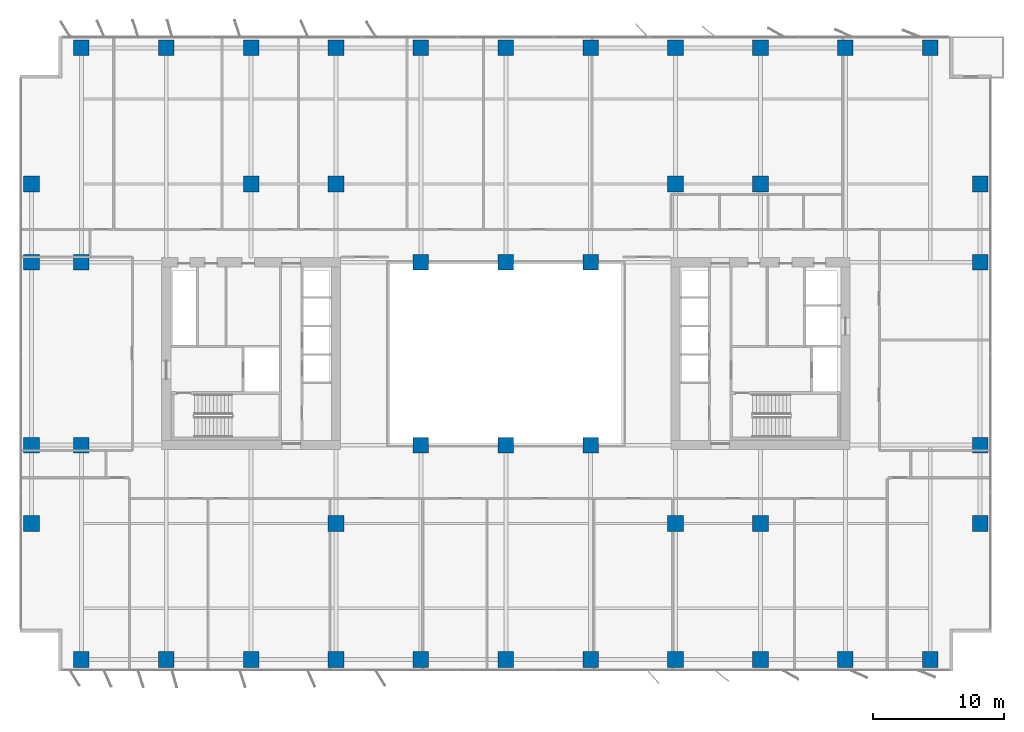
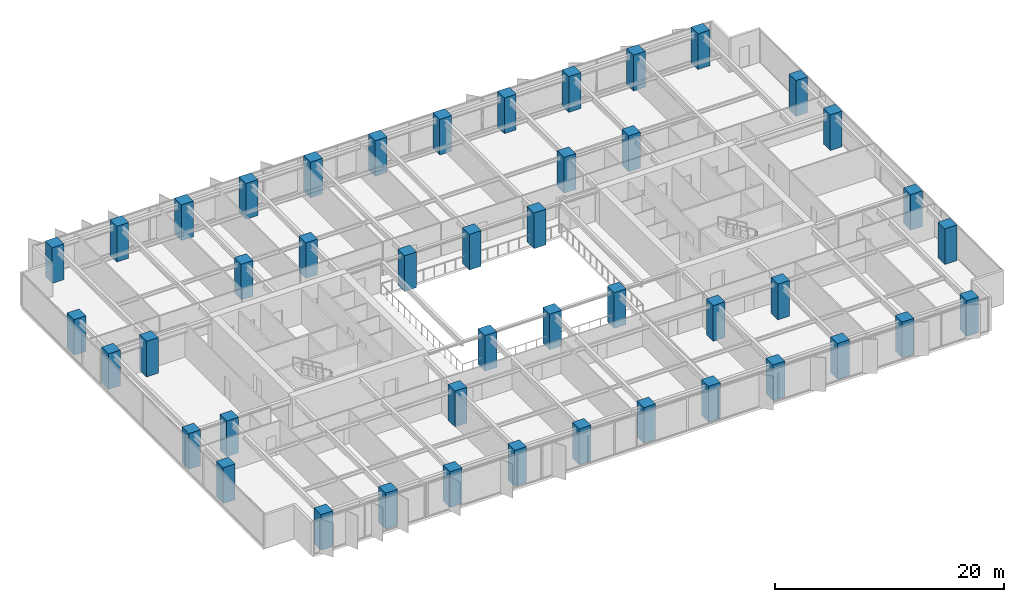
# One storey, part 1 of 20: 45 columns.
"""IFC4 building model written with IfcOpenShell, lengths in metres."""

from ifc_helpers import new_model, si_unit, direction, frame, origin, origin_2d, place, context, subcontext, project, spatial, rectangle, extrude, material, material_profile, profile_set, type_object, element, save


model = new_model("IFC4")

# Units and contexts
model_context = context("Model", 3, precision=1e-05, world=origin(), true_north=direction((0.0, 1.0)))
body_context = subcontext(model_context, "Body", "Model", "MODEL_VIEW")
ifc_project = project(units=[si_unit("LENGTHUNIT", "METRE"), si_unit("AREAUNIT", "SQUARE_METRE"), si_unit("VOLUMEUNIT", "CUBIC_METRE"), si_unit("PLANEANGLEUNIT", "RADIAN"), si_unit("MASSUNIT", "GRAM", prefix="KILO")], contexts=[model_context])

# Site, building, storey
site_placement = place(None, origin())
site = spatial("IfcSite", under=ifc_project, at=site_placement, CompositionType="ELEMENT")
building_placement = place(site_placement, origin())
building = spatial("IfcBuilding", under=site, at=building_placement, Name="Putna Gate Headquarters", CompositionType="ELEMENT")
storey_placement = place(building_placement, frame((0.0, 0.0, 131.60009765625)))
storey = spatial("IfcBuildingStorey", under=building, at=storey_placement, Name="L32", CompositionType="ELEMENT", Elevation=131.60009765625)

# Columns
ifc_material = material(Name="Concrete C60/75", Category="concrete")
ifc_material_profile_1 = material_profile(ifc_material, rectangle(XDim=1.199951171875, YDim=1.199951171875, at=origin_2d()), Name="Concrete C60/75")
ifc_profile_set_1 = profile_set([ifc_material_profile_1], Name="Concrete C60/75")
column_type_1 = type_object("IfcColumnType", Name="COL-RC1200-EXT", PredefinedType="COLUMN", material=ifc_profile_set_1)
for number, where, z_axis, x_axis, name in (
    (1, (6.5, 2.580078125, 0.0), (0.0, 0.0, 1.0), (1.0, 0.0, 0.0), "L32 Column CP-S6"),
    (2, (6.5, 49.419921875, 0.0), (0.0, 0.0, 1.0), (1.0, 0.0, 0.0), "L32 Column CP-N6"),
    (3, (13.0, 2.580078125, 0.0), (0.0, 0.0, 1.0), (1.0, 0.0, 0.0), "L32 Column CP-S13"),
    (4, (13.0, 49.419921875, 0.0), (0.0, 0.0, 1.0), (1.0, 0.0, 0.0), "L32 Column CP-N13"),
    (5, (19.5, 2.580078125, 0.0), (0.0, 0.0, 1.0), (1.0, 0.0, 0.0), "L32 Column CP-S19"),
    (6, (19.5, 49.419921875, 0.0), (0.0, 0.0, 1.0), (1.0, 0.0, 0.0), "L32 Column CP-N19"),
    (7, (26.0, 2.580078125, 0.0), (0.0, 0.0, 1.0), (1.0, 0.0, 0.0), "L32 Column CP-S26"),
    (8, (26.0, 49.419921875, 0.0), (0.0, 0.0, 1.0), (1.0, 0.0, 0.0), "L32 Column CP-N26"),
    (9, (32.5, 2.580078125, 0.0), (0.0, 0.0, 1.0), (1.0, 0.0, 0.0), "L32 Column CP-S32"),
    (10, (32.5, 49.419921875, 0.0), (0.0, 0.0, 1.0), (1.0, 0.0, 0.0), "L32 Column CP-N32"),
    (11, (39.0, 2.580078125, 0.0), (0.0, 0.0, 1.0), (1.0, 0.0, 0.0), "L32 Column CP-S39"),
    (12, (39.0, 49.419921875, 0.0), (0.0, 0.0, 1.0), (1.0, 0.0, 0.0), "L32 Column CP-N39"),
    (13, (45.5, 2.580078125, 0.0), (0.0, 0.0, 1.0), (1.0, 0.0, 0.0), "L32 Column CP-S45"),
    (14, (45.5, 49.419921875, 0.0), (0.0, 0.0, 1.0), (1.0, 0.0, 0.0), "L32 Column CP-N45"),
    (15, (52.0, 2.580078125, 0.0), (0.0, 0.0, 1.0), (1.0, 0.0, 0.0), "L32 Column CP-S52"),
    (16, (52.0, 49.419921875, 0.0), (0.0, 0.0, 1.0), (1.0, 0.0, 0.0), "L32 Column CP-N52"),
    (17, (58.5, 2.580078125, 0.0), (0.0, 0.0, 1.0), (1.0, 0.0, 0.0), "L32 Column CP-S58"),
    (18, (58.5, 49.419921875, 0.0), (0.0, 0.0, 1.0), (1.0, 0.0, 0.0), "L32 Column CP-N58"),
    (19, (65.0, 2.580078125, 0.0), (0.0, 0.0, 1.0), (1.0, 0.0, 0.0), "L32 Column CP-S65"),
    (20, (65.0, 49.419921875, 0.0), (0.0, 0.0, 1.0), (1.0, 0.0, 0.0), "L32 Column CP-N65"),
    (21, (71.5, 2.580078125, 0.0), (0.0, 0.0, 1.0), (1.0, 0.0, 0.0), "L32 Column CP-S71"),
    (22, (71.5, 49.419921875, 0.0), (0.0, 0.0, 1.0), (1.0, 0.0, 0.0), "L32 Column CP-N71"),
    (23, (2.679931640625, 13.0, 0.0), (0.0, 0.0, 1.0), (1.0, 0.0, 0.0), "L32 Column CP-W13"),
    (24, (75.320068359375, 13.0, 0.0), (0.0, 0.0, 1.0), (1.0, 0.0, 0.0), "L32 Column CP-E13"),
    (25, (2.679931640625, 19.0, 0.0), (0.0, 0.0, 1.0), (1.0, 0.0, 0.0), "L32 Column CP-W19"),
    (26, (75.320068359375, 19.0, 0.0), (0.0, 0.0, 1.0), (1.0, 0.0, 0.0), "L32 Column CP-E19"),
    (27, (2.679931640625, 33.0, 0.0), (0.0, 0.0, 1.0), (1.0, 0.0, 0.0), "L32 Column CP-W33"),
    (28, (75.320068359375, 33.0, 0.0), (0.0, 0.0, 1.0), (1.0, 0.0, 0.0), "L32 Column CP-E33"),
    (29, (2.679931640625, 39.0, 0.0), (0.0, 0.0, 1.0), (1.0, 0.0, 0.0), "L32 Column CP-W39"),
    (30, (75.320068359375, 39.0, 0.0), (0.0, 0.0, 1.0), (1.0, 0.0, 0.0), "L32 Column CP-E39"),
):
    element("IfcColumn", number, at=place(storey_placement, frame(where, z_axis=z_axis, x_axis=x_axis)), inside=storey, type_object=column_type_1, Name=name, PredefinedType="COLUMN", context=body_context, shape_type="SweptSolid", body=[
        extrude(rectangle(XDim=1.199951171875, YDim=1.199951171875, at=origin_2d()), origin(), (0.0, 0.0, 1.0), 3.7998046875),
    ])
ifc_material_profile_2 = material_profile(ifc_material, rectangle(XDim=1.199951171875, YDim=1.199951171875, at=origin_2d()), Name="Concrete C60/75")
ifc_profile_set_2 = profile_set([ifc_material_profile_2], Name="Concrete C60/75")
column_type_2 = type_object("IfcColumnType", Name="COL-RC1200-INT", PredefinedType="COLUMN", material=ifc_profile_set_2)
for number, where, z_axis, x_axis, name in (
    (31, (19.5, 39.0, 0.0), (0.0, 0.0, 1.0), (1.0, 0.0, 0.0), "L32 Column CSI-WN"),
    (32, (58.5, 13.0, 0.0), (0.0, 0.0, 1.0), (1.0, 0.0, 0.0), "L32 Column CSI-ES"),
    (33, (58.5, 39.0, 0.0), (0.0, 0.0, 1.0), (1.0, 0.0, 0.0), "L32 Column CSI-EN"),
    (34, (6.5, 19.0, 0.0), (0.0, 0.0, 1.0), (1.0, 0.0, 0.0), "L32 Column CSI-WM"),
    (35, (6.5, 33.0, 0.0), (0.0, 0.0, 1.0), (1.0, 0.0, 0.0), "L32 Column CSI-WNW"),
    (36, (32.5, 19.0, 0.0), (0.0, 0.0, 1.0), (1.0, 0.0, 0.0), "L32 Column CAI-S32"),
    (37, (32.5, 33.0, 0.0), (0.0, 0.0, 1.0), (1.0, 0.0, 0.0), "L32 Column CAI-N32"),
    (38, (39.0, 19.0, 0.0), (0.0, 0.0, 1.0), (1.0, 0.0, 0.0), "L32 Column CAI-S39"),
    (39, (39.0, 33.0, 0.0), (0.0, 0.0, 1.0), (1.0, 0.0, 0.0), "L32 Column CAI-N39"),
    (40, (45.5, 19.0, 0.0), (0.0, 0.0, 1.0), (1.0, 0.0, 0.0), "L32 Column CAI-S45"),
    (41, (45.5, 33.0, 0.0), (0.0, 0.0, 1.0), (1.0, 0.0, 0.0), "L32 Column CAI-N45"),
    (42, (26.0, 13.0, 0.0), (0.0, 0.0, 1.0), (1.0, 0.0, 0.0), "L32 Column CAP-WS"),
    (43, (26.0, 39.0, 0.0), (0.0, 0.0, 1.0), (1.0, 0.0, 0.0), "L32 Column CAP-WN"),
    (44, (52.0, 13.0, 0.0), (0.0, 0.0, 1.0), (1.0, 0.0, 0.0), "L32 Column CAP-ES"),
    (45, (52.0, 39.0, 0.0), (0.0, 0.0, 1.0), (1.0, 0.0, 0.0), "L32 Column CAP-EN"),
):
    element("IfcColumn", number, at=place(storey_placement, frame(where, z_axis=z_axis, x_axis=x_axis)), inside=storey, type_object=column_type_2, Name=name, PredefinedType="COLUMN", context=body_context, shape_type="SweptSolid", body=[
        extrude(rectangle(XDim=1.199951171875, YDim=1.199951171875, at=origin_2d()), origin(), (0.0, 0.0, 1.0), 3.7998046875),
    ])

save(model, "model.ifc")
